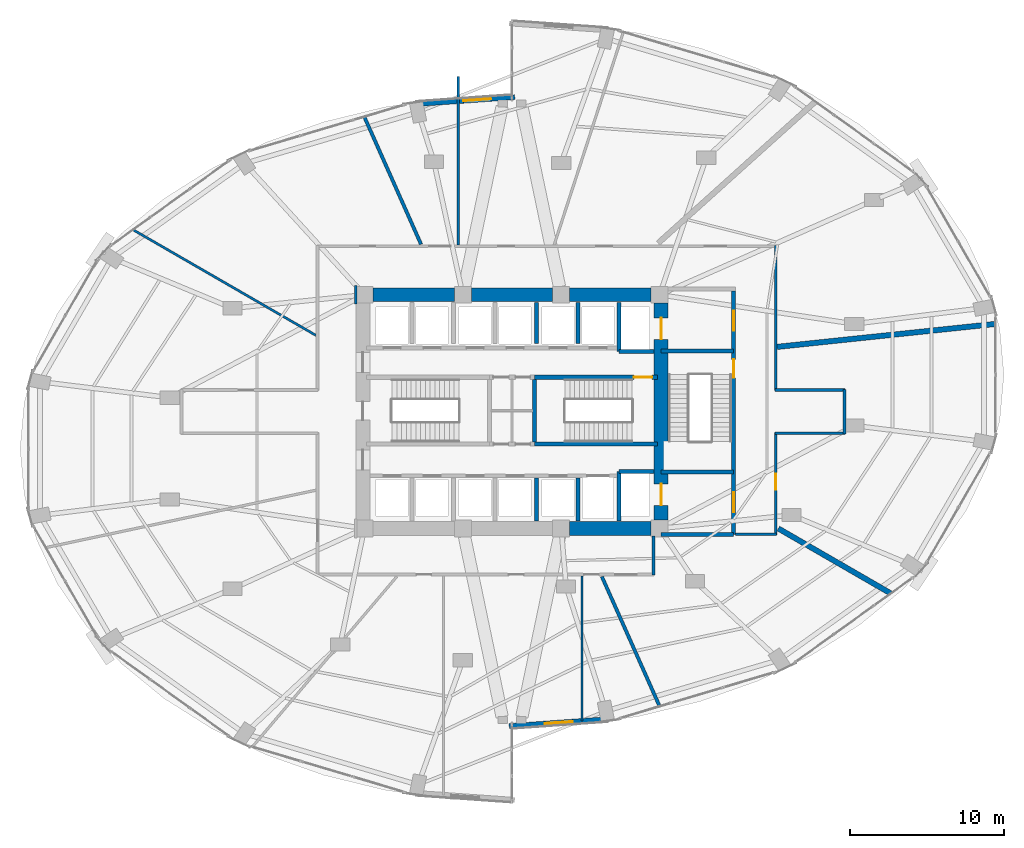
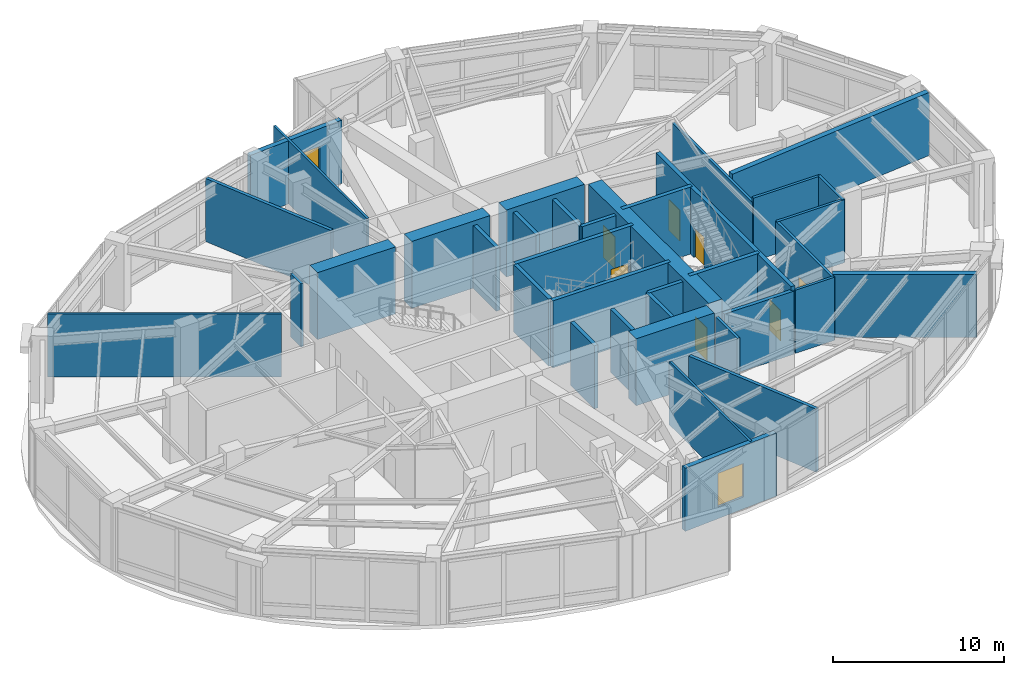
# One storey, part 22 of 24: 37 walls, 7 doors, 2 windows, 9 openings.
"""IFC4 building model written with IfcOpenShell, lengths in metres."""

from ifc_helpers import new_model, si_unit, direction, frame, frame_2d, origin, place, context, subcontext, project, spatial, rectangle, extrude, material, layer, layer_set, type_object, element, fill, save


model = new_model("IFC4")

# Units and contexts
model_context = context("Model", 3, precision=1e-05, world=origin(), true_north=direction((0.0, 1.0)))
body_context = subcontext(model_context, "Body", "Model", "MODEL_VIEW")
ifc_project = project(units=[si_unit("LENGTHUNIT", "METRE"), si_unit("AREAUNIT", "SQUARE_METRE"), si_unit("VOLUMEUNIT", "CUBIC_METRE"), si_unit("PLANEANGLEUNIT", "RADIAN"), si_unit("MASSUNIT", "GRAM", prefix="KILO")], contexts=[model_context])

# Site, building, storey
site_placement = place(None, origin())
site = spatial("IfcSite", under=ifc_project, at=site_placement, CompositionType="ELEMENT")
building_placement = place(site_placement, origin())
building = spatial("IfcBuilding", under=site, at=building_placement, Name="Lazwardi Medical Tower", CompositionType="ELEMENT")
storey_placement = place(building_placement, frame((0.0, 0.0, 10.800048828125)))
storey = spatial("IfcBuildingStorey", under=building, at=storey_placement, Name="L02", CompositionType="ELEMENT", Elevation=10.800048828125)

# Walls
ifc_material_1 = material(Name="Fire-rated gypsum board on steel stud", Category="steel")
ifc_layer_1 = layer(ifc_material_1, 0.179931640625)
ifc_layer_set_1 = layer_set([ifc_layer_1], Name="Fire-rated gypsum board on steel stud")
wall_type_1 = type_object("IfcWallType", Name="WL-COR-180", PredefinedType="PARTITIONING", material=ifc_layer_set_1)
wall_1_placement = place(storey_placement, frame((53.14990234375, 38.7900390625, 0.0), z_axis=(0.0, 0.0, 1.0), x_axis=(0.0, -1.0, 0.0)))
element("IfcWall", 1, at=wall_1_placement, inside=storey, type_object=wall_type_1, Name="L02 Corridor partition 5", PredefinedType="PARTITIONING", context=body_context, shape_type="SweptSolid", body=[
    extrude(rectangle(XDim=9.429931640625, YDim=0.179931640625, at=frame_2d((4.71484375, 0.0))), origin(), (0.0, 0.0, 1.0), 4.204833984375),
])
wall_2_placement = place(storey_placement, frame((53.110107421875, 29.39990234375, 0.0), z_axis=(0.0, 0.0, 1.0), x_axis=(1.0, 0.0, 0.0)))
element("IfcWall", 2, at=wall_2_placement, inside=storey, type_object=wall_type_1, Name="L02 Corridor partition 6", PredefinedType="PARTITIONING", context=body_context, shape_type="SweptSolid", body=[
    extrude(rectangle(XDim=4.5478515625, YDim=0.179931640625, at=frame_2d((2.27392578125, 0.0))), origin(), (0.0, 0.0, 1.0), 4.52001953125),
])
wall_3_placement = place(storey_placement, frame((57.617919921875, 29.43994140625, 0.0), z_axis=(0.0, 0.0, 1.0), x_axis=(0.0, -1.0, 0.0)))
element("IfcWall", 3, at=wall_3_placement, inside=storey, type_object=wall_type_1, Name="L02 Corridor partition 7", PredefinedType="PARTITIONING", context=body_context, shape_type="SweptSolid", body=[
    extrude(rectangle(XDim=2.8798828125, YDim=0.179931640625, at=frame_2d((1.43994140625, 0.0))), origin(), (0.0, 0.0, 1.0), 4.52001953125),
])
wall_4_placement = place(storey_placement, frame((57.657958984375, 26.60009765625, 0.0), z_axis=(0.0, 0.0, 1.0), x_axis=(-1.0, 0.0, 0.0)))
element("IfcWall", 4, at=wall_4_placement, inside=storey, type_object=wall_type_1, Name="L02 Corridor partition 8", PredefinedType="PARTITIONING", context=body_context, shape_type="SweptSolid", body=[
    extrude(rectangle(XDim=4.5478515625, YDim=0.179931640625, at=frame_2d((2.27392578125, 0.0))), origin(), (0.0, 0.0, 1.0), 4.52001953125),
])

# Wall, opening, door
wall_5_placement = place(storey_placement, frame((53.14990234375, 26.639892578125, 0.0), z_axis=(0.0, 0.0, 1.0), x_axis=(0.0, -1.0, 0.0)))
wall_5 = element("IfcWall", 5, at=wall_5_placement, inside=storey, type_object=wall_type_1, Name="L02 Corridor partition 9", PredefinedType="PARTITIONING", context=body_context, shape_type="SweptSolid", body=[
    extrude(rectangle(XDim=6.659912109375, YDim=0.179931640625, at=frame_2d((3.330078125, 0.0))), origin(), (0.0, 0.0, 1.0), 4.52001953125),
])
opening_1_placement = place(wall_5_placement, frame((2.670654296875, 0.0, 0.0)))
opening_1 = element("IfcOpeningElement", 6, at=opening_1_placement, cuts=wall_5, Name="Opening D-L02-014", PredefinedType="OPENING", context=body_context, shape_type="SweptSolid", body=[
    extrude(rectangle(XDim=1.050048828125, YDim=2.14990234375, at=frame_2d((0.52490234375, 1.074951171875))), frame((0.0, 0.099853515625, 0.0), z_axis=(0.0, -1.0, 0.0), x_axis=(1.0, 0.0, 0.0)), (0.0, 0.0, 1.0), 0.199951171875),
])
ifc_material_2 = material(Name="Anti-microbial laminate hospital leaf")
door_type_1 = type_object("IfcDoorType", Name="DR-CLN-1050", OperationType="NOTDEFINED", PredefinedType="DOOR", material=ifc_material_2)
door_1_placement = place(opening_1_placement, origin())
door_1 = element("IfcDoor", 7, at=door_1_placement, inside=storey, type_object=door_type_1, Name="L02 Family Waiting Lounge Door 06", OperationType="SINGLE_SWING_RIGHT", OverallHeight=2.14990234375, OverallWidth=1.050048828125, PredefinedType="DOOR", context=body_context, shape_type="SweptSolid", body=[
    extrude(rectangle(XDim=1.050048828125, YDim=2.14990234375, at=frame_2d((0.52490234375, 1.074951171875))), frame((0.0, 0.02490234375, 0.0), z_axis=(0.0, -1.0, 0.0), x_axis=(1.0, 0.0, 0.0)), (0.0, 0.0, 1.0), 0.050048828125),
])
fill(opening_1, door_1)

# Walls
wall_6_placement = place(storey_placement, frame((53.18994140625, 20.02001953125, 0.0), z_axis=(0.0, 0.0, 1.0), x_axis=(-1.0, 0.0, 0.0)))
element("IfcWall", 8, at=wall_6_placement, inside=storey, type_object=wall_type_1, Name="L02 Corridor partition 10", PredefinedType="PARTITIONING", context=body_context, shape_type="SweptSolid", body=[
    extrude(rectangle(XDim=2.64990234375, YDim=0.179931640625, at=frame_2d((1.324951171875, 0.0))), origin(), (0.0, 0.0, 1.0), 4.52001953125),
])
wall_7_placement = place(storey_placement, frame((25.830078125, 36.2099609375, 0.0), z_axis=(0.0, 0.0, 1.0), x_axis=(0.0, -1.0, 0.0)))
element("IfcWall", 9, at=wall_7_placement, inside=storey, type_object=wall_type_1, Name="L02 Corridor partition 11", PredefinedType="PARTITIONING", context=body_context, shape_type="SweptSolid", body=[
    extrude(rectangle(XDim=1.219970703125, YDim=0.179931640625, at=frame_2d((0.60986328125, 0.0))), origin(), (0.0, 0.0, 1.0), 4.52001953125),
])
wall_8_placement = place(storey_placement, frame((45.199951171875, 19.909912109375, 0.0), z_axis=(0.0, 0.0, 1.0), x_axis=(0.0, -1.0, 0.0)))
element("IfcWall", 10, at=wall_8_placement, inside=storey, type_object=wall_type_1, Name="L02 Corridor partition 13", PredefinedType="PARTITIONING", context=body_context, shape_type="SweptSolid", body=[
    extrude(rectangle(XDim=2.5498046875, YDim=0.179931640625, at=frame_2d((1.27490234375, 0.0))), origin(), (0.0, 0.0, 1.0), 4.52001953125),
])

# Wall, openings, doors
ifc_material_3 = material(Name="Concrete C80/95", Category="concrete")
ifc_layer_2 = layer(ifc_material_3, 0.89990234375)
ifc_layer_set_2 = layer_set([ifc_layer_2], Name="Concrete C80/95")
wall_type_2 = type_object("IfcWallType", Name="WL-CORE-900", PredefinedType="SHEAR", material=ifc_layer_set_2)
wall_9_placement = place(storey_placement, frame((45.699951171875, 20.949951171875, 0.0), z_axis=(0.0, 0.0, 1.0), x_axis=(0.0, 1.0, 0.0)))
wall_9 = element("IfcWall", 11, at=wall_9_placement, inside=storey, type_object=wall_type_2, Name="Core wall CW-S1 east L02", PredefinedType="SHEAR", context=body_context, shape_type="SweptSolid", body=[
    extrude(rectangle(XDim=14.10009765625, YDim=0.89990234375, at=frame_2d((7.050048828125, 0.0))), origin(), (0.0, 0.0, 1.0), 4.800048828125),
])
opening_2_placement = place(wall_9_placement, frame((11.75, 0.0, 0.0)))
opening_2 = element("IfcOpeningElement", 12, at=opening_2_placement, cuts=wall_9, Name="Opening LD-L02-001", PredefinedType="OPENING", context=body_context, shape_type="SweptSolid", body=[
    extrude(rectangle(XDim=1.39990234375, YDim=2.300048828125, at=frame_2d((0.699951171875, 1.14990234375))), frame((0.0, 0.4599609375, 0.0), z_axis=(0.0, -1.0, 0.0), x_axis=(1.0, 0.0, 0.0)), (0.0, 0.0, 1.0), 0.919921875),
])
opening_3_placement = place(wall_9_placement, frame((0.949951171875, 0.0, 0.0)))
opening_3 = element("IfcOpeningElement", 13, at=opening_3_placement, cuts=wall_9, Name="Opening LD-L02-002", PredefinedType="OPENING", context=body_context, shape_type="SweptSolid", body=[
    extrude(rectangle(XDim=1.39990234375, YDim=2.300048828125, at=frame_2d((0.699951171875, 1.14990234375))), frame((0.0, 0.4599609375, 0.0), z_axis=(0.0, -1.0, 0.0), x_axis=(1.0, 0.0, 0.0)), (0.0, 0.0, 1.0), 0.919921875),
])
ifc_material_4 = material(Name="Brushed stainless steel bed-lift landing door", Category="steel")
door_type_2 = type_object("IfcDoorType", Name="DR-LFT-1400", OperationType="NOTDEFINED", PredefinedType="DOOR", material=ifc_material_4)
door_2_placement = place(opening_2_placement, origin())
door_2 = element("IfcDoor", 14, at=door_2_placement, inside=storey, type_object=door_type_2, Name="L02 Lift Landing Door FL-01", OperationType="SLIDING_TO_LEFT", OverallHeight=2.300048828125, OverallWidth=1.39990234375, PredefinedType="DOOR", context=body_context, shape_type="SweptSolid", body=[
    extrude(rectangle(XDim=1.39990234375, YDim=2.300048828125, at=frame_2d((0.699951171875, 1.14990234375))), frame((0.0, 0.02490234375, 0.0), z_axis=(0.0, -1.0, 0.0), x_axis=(1.0, 0.0, 0.0)), (0.0, 0.0, 1.0), 0.050048828125),
])
fill(opening_2, door_2)
door_3_placement = place(opening_3_placement, origin())
door_3 = element("IfcDoor", 15, at=door_3_placement, inside=storey, type_object=door_type_2, Name="L02 Lift Landing Door FL-02", OperationType="SLIDING_TO_LEFT", OverallHeight=2.300048828125, OverallWidth=1.39990234375, PredefinedType="DOOR", context=body_context, shape_type="SweptSolid", body=[
    extrude(rectangle(XDim=1.39990234375, YDim=2.300048828125, at=frame_2d((0.699951171875, 1.14990234375))), frame((0.0, 0.02490234375, 0.0), z_axis=(0.0, -1.0, 0.0), x_axis=(1.0, 0.0, 0.0)), (0.0, 0.0, 1.0), 0.050048828125),
])
fill(opening_3, door_3)

# Walls
wall_10_placement = place(storey_placement, frame((26.949951171875, 35.60009765625, 0.0), z_axis=(0.0, 0.0, 1.0), x_axis=(1.0, 0.0, 0.0)))
element("IfcWall", 16, at=wall_10_placement, inside=storey, type_object=wall_type_2, Name="Core wall CW-S1 N1 L02", PredefinedType="SHEAR", context=body_context, shape_type="SweptSolid", body=[
    extrude(rectangle(XDim=5.300048828125, YDim=0.89990234375, at=frame_2d((2.64990234375, 0.0))), origin(), (0.0, 0.0, 1.0), 4.800048828125),
])
wall_11_placement = place(storey_placement, frame((33.35009765625, 35.60009765625, 0.0), z_axis=(0.0, 0.0, 1.0), x_axis=(1.0, 0.0, 0.0)))
element("IfcWall", 17, at=wall_11_placement, inside=storey, type_object=wall_type_2, Name="Core wall CW-S1 N2 L02", PredefinedType="SHEAR", context=body_context, shape_type="SweptSolid", body=[
    extrude(rectangle(XDim=5.2998046875, YDim=0.89990234375, at=frame_2d((2.64990234375, 0.0))), origin(), (0.0, 0.0, 1.0), 4.800048828125),
])
for number, where, z_axis, x_axis, name in (
    (18, (39.75, 20.39990234375, 0.0), (0.0, 0.0, 1.0), (1.0, 0.0, 0.0), "Core wall CW-S1 S3 L02"),
    (19, (39.75, 35.60009765625, 0.0), (0.0, 0.0, 1.0), (1.0, 0.0, 0.0), "Core wall CW-S1 N3 L02"),
):
    element("IfcWall", number, at=place(storey_placement, frame(where, z_axis=z_axis, x_axis=x_axis)), inside=storey, type_object=wall_type_2, Name=name, PredefinedType="SHEAR", context=body_context, shape_type="SweptSolid", body=[
        extrude(rectangle(XDim=5.300048828125, YDim=0.89990234375, at=frame_2d((2.64990234375, 0.0))), origin(), (0.0, 0.0, 1.0), 4.800048828125),
    ])

# Wall, opening, window
ifc_material_5 = material(Name="Precast concrete C45/55", Category="concrete")
ifc_layer_3 = layer(ifc_material_5, 0.320068359375)
ifc_layer_set_3 = layer_set([ifc_layer_3], Name="Precast concrete C45/55")
wall_type_3 = type_object("IfcWallType", Name="WL-IWAN-320", PredefinedType="SOLIDWALL", material=ifc_layer_set_3)
wall_12_placement = place(storey_placement, frame((35.8203125, 7.54736328125, 0.0), z_axis=(0.0, 0.0, 1.0), x_axis=(0.99751367159, 0.070473221795, 0.0)))
wall_12 = element("IfcWall", 20, at=wall_12_placement, inside=storey, type_object=wall_type_3, Name="L02 Iwan Portal Return Wall SE_ret", PredefinedType="SOLIDWALL", context=body_context, shape_type="SweptSolid", body=[
    extrude(rectangle(XDim=6.45751953125, YDim=0.320068359375, at=frame_2d((3.228759765625, 0.0))), origin(), (0.0, 0.0, 1.0), 4.52001953125),
])
opening_4_placement = place(wall_12_placement, frame((2.32861328125, 0.0, 0.85009765625)))
opening_4 = element("IfcOpeningElement", 21, at=opening_4_placement, cuts=wall_12, Name="Opening WN-03", PredefinedType="OPENING", context=body_context, shape_type="SweptSolid", body=[
    extrude(rectangle(XDim=1.800048828125, YDim=2.39990234375, at=frame_2d((0.89990234375, 1.199951171875))), frame((0.0, 0.169921875, 0.0), z_axis=(0.0, -1.0, 0.0), x_axis=(1.0, 0.0, 0.0)), (0.0, 0.0, 1.0), 0.340087890625),
])
ifc_material_6 = material(Name="Laminated acoustic bronze double glazing", Category="glass")
window_type = type_object("IfcWindowType", Name="WIN-POD-1800", PartitioningType="SINGLE_PANEL", PredefinedType="WINDOW", material=ifc_material_6)
window_1_placement = place(opening_4_placement, origin())
window_1 = element("IfcWindow", 22, at=window_1_placement, inside=storey, type_object=window_type, Name="L02 Iwan Slot Window SE_ret", OverallHeight=2.39990234375, OverallWidth=1.800048828125, PartitioningType="SINGLE_PANEL", PredefinedType="WINDOW", context=body_context, shape_type="SweptSolid", body=[
    extrude(rectangle(XDim=1.800048828125, YDim=2.39990234375, at=frame_2d((0.89990234375, 1.199951171875))), frame((0.0, 0.030029296875, 0.0), z_axis=(0.0, -1.0, 0.0), x_axis=(1.0, 0.0, 0.0)), (0.0, 0.0, 1.0), 0.06005859375),
])
fill(opening_4, window_1)

wall_13_placement = place(storey_placement, frame((36.178955078125, 48.45263671875, 0.0), z_axis=(0.0, 0.0, 1.0), x_axis=(-0.997513108184, -0.070481196075, 0.0)))
wall_13 = element("IfcWall", 23, at=wall_13_placement, inside=storey, type_object=wall_type_3, Name="L02 Iwan Portal Return Wall NW_ret", PredefinedType="SOLIDWALL", context=body_context, shape_type="SweptSolid", body=[
    extrude(rectangle(XDim=6.456787109375, YDim=0.320068359375, at=frame_2d((3.228515625, 0.0))), origin(), (0.0, 0.0, 1.0), 4.52001953125),
])
opening_5_placement = place(wall_13_placement, frame((1.547607421875, 0.0, 0.85009765625)))
opening_5 = element("IfcOpeningElement", 24, at=opening_5_placement, cuts=wall_13, Name="Opening WN-03", PredefinedType="OPENING", context=body_context, shape_type="SweptSolid", body=[
    extrude(rectangle(XDim=1.800048828125, YDim=2.39990234375, at=frame_2d((0.89990234375, 1.199951171875))), frame((0.0, 0.169921875, 0.0), z_axis=(0.0, -1.0, 0.0), x_axis=(1.0, 0.0, 0.0)), (0.0, 0.0, 1.0), 0.340087890625),
])
window_2_placement = place(opening_5_placement, origin())
window_2 = element("IfcWindow", 25, at=window_2_placement, inside=storey, type_object=window_type, Name="L02 Iwan Slot Window NW_ret", OverallHeight=2.39990234375, OverallWidth=1.800048828125, PartitioningType="SINGLE_PANEL", PredefinedType="WINDOW", context=body_context, shape_type="SweptSolid", body=[
    extrude(rectangle(XDim=1.800048828125, YDim=2.39990234375, at=frame_2d((0.89990234375, 1.199951171875))), frame((0.0, 0.030029296875, 0.0), z_axis=(0.0, -1.0, 0.0), x_axis=(1.0, 0.0, 0.0)), (0.0, 0.0, 1.0), 0.06005859375),
])
fill(opening_5, window_2)

# Walls
ifc_material_7 = material(Name="Lead-lined barium plaster blockwork", Category="masonry")
ifc_layer_4 = layer(ifc_material_7, 0.35009765625)
ifc_layer_set_4 = layer_set([ifc_layer_4], Name="Lead-lined barium plaster blockwork")
wall_type_4 = type_object("IfcWallType", Name="WL-RAD-350", PredefinedType="SOLIDWALL", material=ifc_layer_set_4)
wall_14_placement = place(storey_placement, frame((53.322021484375, 20.399169921875, 0.0), z_axis=(0.0, 0.0, 1.0), x_axis=(0.866024398109, -0.500001741877, 0.0)))
element("IfcWall", 26, at=wall_14_placement, inside=storey, type_object=wall_type_4, Name="L02 Room partition 2", PredefinedType="SOLIDWALL", context=body_context, shape_type="SweptSolid", body=[
    extrude(rectangle(XDim=8.44970703125, YDim=0.35009765625, at=frame_2d((4.224853515625, 0.0))), origin(), (0.0, 0.0, 1.0), 4.52001953125),
])
wall_15_placement = place(storey_placement, frame((53.23974609375, 32.2119140625, 0.0), z_axis=(0.0, 0.0, 1.0), x_axis=(0.994522307274, 0.104524544177, 0.0)))
element("IfcWall", 27, at=wall_15_placement, inside=storey, type_object=wall_type_4, Name="L02 Room partition 3", PredefinedType="SOLIDWALL", context=body_context, shape_type="SweptSolid", body=[
    extrude(rectangle(XDim=14.27587890625, YDim=0.35009765625, at=frame_2d((7.137939453125, 0.0))), origin(), (0.0, 0.0, 1.0), 4.52001953125),
])
ifc_material_8 = material(Name="Autoclaved aerated concrete blockwork", Category="masonry")
ifc_layer_5 = layer(ifc_material_8, 0.25)
ifc_layer_set_5 = layer_set([ifc_layer_5], Name="Autoclaved aerated concrete blockwork")
wall_type_5 = type_object("IfcWallType", Name="WL-SHAFT-250", PredefinedType="SOLIDWALL", material=ifc_layer_set_5)
wall_16_placement = place(storey_placement, frame((42.949951171875, 31.919921875, 0.0), z_axis=(0.0, 0.0, 1.0), x_axis=(0.0, 1.0, 0.0)))
element("IfcWall", 28, at=wall_16_placement, inside=storey, type_object=wall_type_5, Name="L02 FL-01 West shaft wall", PredefinedType="SOLIDWALL", context=body_context, shape_type="SweptSolid", body=[
    extrude(rectangle(XDim=3.18017578125, YDim=0.25, at=frame_2d((1.590087890625, 0.0))), origin(), (0.0, 0.0, 1.0), 4.52001953125),
])
wall_17_placement = place(storey_placement, frame((42.949951171875, 31.919921875, 0.0), z_axis=(0.0, 0.0, 1.0), x_axis=(1.0, 0.0, 0.0)))
element("IfcWall", 29, at=wall_17_placement, inside=storey, type_object=wall_type_5, Name="L02 FL-01 South shaft wall", PredefinedType="SOLIDWALL", context=body_context, shape_type="SweptSolid", body=[
    extrude(rectangle(XDim=2.300048828125, YDim=0.25, at=frame_2d((1.14990234375, 0.0))), origin(), (0.0, 0.0, 1.0), 4.52001953125),
])
wall_18_placement = place(storey_placement, frame((42.949951171875, 20.89990234375, 0.0), z_axis=(0.0, 0.0, 1.0), x_axis=(0.0, 1.0, 0.0)))
element("IfcWall", 30, at=wall_18_placement, inside=storey, type_object=wall_type_5, Name="L02 FL-02 West shaft wall", PredefinedType="SOLIDWALL", context=body_context, shape_type="SweptSolid", body=[
    extrude(rectangle(XDim=3.2001953125, YDim=0.25, at=frame_2d((1.60009765625, 0.0))), origin(), (0.0, 0.0, 1.0), 4.52001953125),
])
wall_19_placement = place(storey_placement, frame((42.949951171875, 24.10009765625, 0.0), z_axis=(0.0, 0.0, 1.0), x_axis=(1.0, 0.0, 0.0)))
element("IfcWall", 31, at=wall_19_placement, inside=storey, type_object=wall_type_5, Name="L02 FL-02 North shaft wall", PredefinedType="SOLIDWALL", context=body_context, shape_type="SweptSolid", body=[
    extrude(rectangle(XDim=2.300048828125, YDim=0.25, at=frame_2d((1.14990234375, 0.0))), origin(), (0.0, 0.0, 1.0), 4.52001953125),
])
wall_20_placement = place(storey_placement, frame((37.60009765625, 32.419921875, 0.0), z_axis=(0.0, 0.0, 1.0), x_axis=(0.0, 1.0, 0.0)))
element("IfcWall", 32, at=wall_20_placement, inside=storey, type_object=wall_type_5, Name="L02 North hoistway divider", PredefinedType="SOLIDWALL", context=body_context, shape_type="SweptSolid", body=[
    extrude(rectangle(XDim=2.68017578125, YDim=0.25, at=frame_2d((1.340087890625, 0.0))), origin(), (0.0, 0.0, 1.0), 4.52001953125),
])
wall_21_placement = place(storey_placement, frame((37.60009765625, 20.89990234375, 0.0), z_axis=(0.0, 0.0, 1.0), x_axis=(0.0, 1.0, 0.0)))
element("IfcWall", 33, at=wall_21_placement, inside=storey, type_object=wall_type_5, Name="L02 South hoistway divider", PredefinedType="SOLIDWALL", context=body_context, shape_type="SweptSolid", body=[
    extrude(rectangle(XDim=2.800048828125, YDim=0.25, at=frame_2d((1.39990234375, 0.0))), origin(), (0.0, 0.0, 1.0), 4.52001953125),
])
wall_22_placement = place(storey_placement, frame((40.300048828125, 32.419921875, 0.0), z_axis=(0.0, 0.0, 1.0), x_axis=(0.0, 1.0, 0.0)))
element("IfcWall", 34, at=wall_22_placement, inside=storey, type_object=wall_type_5, Name="L02 North hoistway divider", PredefinedType="SOLIDWALL", context=body_context, shape_type="SweptSolid", body=[
    extrude(rectangle(XDim=2.68017578125, YDim=0.25, at=frame_2d((1.340087890625, 0.0))), origin(), (0.0, 0.0, 1.0), 4.52001953125),
])
wall_23_placement = place(storey_placement, frame((40.300048828125, 20.89990234375, 0.0), z_axis=(0.0, 0.0, 1.0), x_axis=(0.0, 1.0, 0.0)))
element("IfcWall", 35, at=wall_23_placement, inside=storey, type_object=wall_type_5, Name="L02 South hoistway divider", PredefinedType="SOLIDWALL", context=body_context, shape_type="SweptSolid", body=[
    extrude(rectangle(XDim=2.800048828125, YDim=0.25, at=frame_2d((1.39990234375, 0.0))), origin(), (0.0, 0.0, 1.0), 4.52001953125),
])
wall_24_placement = place(storey_placement, frame((45.699951171875, 20.02001953125, 0.0), z_axis=(0.0, 0.0, 1.0), x_axis=(1.0, 0.0, 0.0)))
element("IfcWall", 36, at=wall_24_placement, inside=storey, type_object=wall_type_5, Name="L02 FFL-S South wall", PredefinedType="SOLIDWALL", context=body_context, shape_type="SweptSolid", body=[
    extrude(rectangle(XDim=4.715087890625, YDim=0.25, at=frame_2d((2.357421875, 0.0))), origin(), (0.0, 0.0, 1.0), 4.52001953125),
])
ifc_layer_6 = layer(ifc_material_1, 0.219970703125)
ifc_layer_set_6 = layer_set([ifc_layer_6], Name="Fire-rated gypsum board on steel stud")
wall_type_6 = type_object("IfcWallType", Name="WL-SMK-220", PredefinedType="PARTITIONING", material=ifc_layer_set_6)
wall_25_placement = place(storey_placement, frame((41.846923828125, 17.267333984375, 0.0), z_axis=(0.0, 0.0, 1.0), x_axis=(0.406746917765, -0.913540882987, 0.0)))
element("IfcWall", 37, at=wall_25_placement, inside=storey, type_object=wall_type_6, Name="L02 Room partition 1", PredefinedType="PARTITIONING", context=body_context, shape_type="SweptSolid", body=[
    extrude(rectangle(XDim=9.2314453125, YDim=0.219970703125, at=frame_2d((4.61572265625, 0.0))), origin(), (0.0, 0.0, 1.0), 4.52001953125),
])
wall_26_placement = place(storey_placement, frame((30.086181640625, 38.8828125, 0.0), z_axis=(0.0, 0.0, 1.0), x_axis=(-0.406742961245, 0.913542644586, 0.0)))
element("IfcWall", 38, at=wall_26_placement, inside=storey, type_object=wall_type_6, Name="L02 Room partition 6", PredefinedType="PARTITIONING", context=body_context, shape_type="SweptSolid", body=[
    extrude(rectangle(XDim=9.067138671875, YDim=0.219970703125, at=frame_2d((4.53369140625, 0.0))), origin(), (0.0, 0.0, 1.0), 4.52001953125),
])

# Wall, opening, door
ifc_material_9 = material(Name="Concrete C50/60", Category="concrete")
ifc_layer_7 = layer(ifc_material_9, 0.27001953125)
ifc_layer_set_7 = layer_set([ifc_layer_7], Name="Concrete C50/60")
wall_type_7 = type_object("IfcWallType", Name="WL-STR-250", PredefinedType="SHEAR", material=ifc_layer_set_7)
wall_27_placement = place(storey_placement, frame((37.465087890625, 30.235107421875, 0.0), z_axis=(0.0, 0.0, 1.0), x_axis=(1.0, 0.0, 0.0)))
wall_27 = element("IfcWall", 39, at=wall_27_placement, inside=storey, type_object=wall_type_7, Name="L02 ST2 North shear shaft wall SW-S1", PredefinedType="SHEAR", context=body_context, shape_type="SweptSolid", body=[
    extrude(rectangle(XDim=7.98486328125, YDim=0.27001953125, at=frame_2d((3.992431640625, 0.0))), origin(), (0.0, 0.0, 1.0), 4.800048828125),
])
opening_6_placement = place(wall_27_placement, frame((6.455078125, 0.0, 0.0)))
opening_6 = element("IfcOpeningElement", 40, at=opening_6_placement, cuts=wall_27, Name="Opening D-L02-022", PredefinedType="OPENING", context=body_context, shape_type="SweptSolid", body=[
    extrude(rectangle(XDim=1.199951171875, YDim=2.14990234375, at=frame_2d((0.60009765625, 1.074951171875))), frame((0.0, 0.14501953125, 0.0), z_axis=(0.0, -1.0, 0.0), x_axis=(1.0, 0.0, 0.0)), (0.0, 0.0, 1.0), 0.2900390625),
])
ifc_material_10 = material(Name="Fire-rated steel leaf and frame", Category="steel")
door_type_3 = type_object("IfcDoorType", Name="DR-STR-1200", OperationType="NOTDEFINED", PredefinedType="DOOR", material=ifc_material_10)
door_4_placement = place(opening_6_placement, origin())
door_4 = element("IfcDoor", 41, at=door_4_placement, inside=storey, type_object=door_type_3, Name="L02 Exit Stair ST2 Door", OperationType="SINGLE_SWING_LEFT", OverallHeight=2.14990234375, OverallWidth=1.199951171875, PredefinedType="DOOR", context=body_context, shape_type="SweptSolid", body=[
    extrude(rectangle(XDim=1.199951171875, YDim=2.14990234375, at=frame_2d((0.60009765625, 1.074951171875))), frame((0.0, 0.02490234375, 0.0), z_axis=(0.0, -1.0, 0.0), x_axis=(1.0, 0.0, 0.0)), (0.0, 0.0, 1.0), 0.050048828125),
])
fill(opening_6, door_4)

# Walls
wall_28_placement = place(storey_placement, frame((37.465087890625, 25.885009765625, 0.0), z_axis=(0.0, 0.0, 1.0), x_axis=(1.0, 0.0, 0.0)))
element("IfcWall", 42, at=wall_28_placement, inside=storey, type_object=wall_type_7, Name="L02 ST2 South shear shaft wall SW-S1", PredefinedType="SHEAR", context=body_context, shape_type="SweptSolid", body=[
    extrude(rectangle(XDim=7.98486328125, YDim=0.27001953125, at=frame_2d((3.992431640625, 0.0))), origin(), (0.0, 0.0, 1.0), 4.800048828125),
])
wall_29_placement = place(storey_placement, frame((37.465087890625, 26.02001953125, 0.0), z_axis=(0.0, 0.0, 1.0), x_axis=(0.0, 1.0, 0.0)))
element("IfcWall", 43, at=wall_29_placement, inside=storey, type_object=wall_type_7, Name="L02 ST2 West shear shaft wall SW-S1", PredefinedType="SHEAR", context=body_context, shape_type="SweptSolid", body=[
    extrude(rectangle(XDim=4.080078125, YDim=0.27001953125, at=frame_2d((2.0400390625, 0.0))), origin(), (0.0, 0.0, 1.0), 4.800048828125),
])

# Wall, openings, doors
wall_30_placement = place(storey_placement, frame((50.4150390625, 35.844970703125, 0.0), z_axis=(0.0, 0.0, 1.0), x_axis=(0.0, -1.0, 0.0)))
wall_30 = element("IfcWall", 44, at=wall_30_placement, inside=storey, type_object=wall_type_7, Name="L02 East ST3 & FFL shear wall SW-S1", PredefinedType="SHEAR", context=body_context, shape_type="SweptSolid", body=[
    extrude(rectangle(XDim=15.824951171875, YDim=0.27001953125, at=frame_2d((7.91259765625, 0.0))), origin(), (0.0, 0.0, 1.0), 4.800048828125),
])
opening_7_placement = place(wall_30_placement, frame((4.445068359375, 0.0, 0.0)))
opening_7 = element("IfcOpeningElement", 45, at=opening_7_placement, cuts=wall_30, Name="Opening D-L02-023", PredefinedType="OPENING", context=body_context, shape_type="SweptSolid", body=[
    extrude(rectangle(XDim=1.199951171875, YDim=2.14990234375, at=frame_2d((0.60009765625, 1.074951171875))), frame((0.0, 0.14501953125, 0.0), z_axis=(0.0, -1.0, 0.0), x_axis=(1.0, 0.0, 0.0)), (0.0, 0.0, 1.0), 0.2900390625),
])
opening_8_placement = place(wall_30_placement, frame((1.294921875, 0.0, 0.0)))
opening_8 = element("IfcOpeningElement", 46, at=opening_8_placement, cuts=wall_30, Name="Opening D-L02-005", PredefinedType="OPENING", context=body_context, shape_type="SweptSolid", body=[
    extrude(rectangle(XDim=1.300048828125, YDim=2.199951171875, at=frame_2d((0.64990234375, 1.10009765625))), frame((0.0, 0.14501953125, 0.0), z_axis=(0.0, -1.0, 0.0), x_axis=(1.0, 0.0, 0.0)), (0.0, 0.0, 1.0), 0.2900390625),
])
opening_9_placement = place(wall_30_placement, frame((13.094970703125, 0.0, 0.0)))
opening_9 = element("IfcOpeningElement", 47, at=opening_9_placement, cuts=wall_30, Name="Opening D-L02-006", PredefinedType="OPENING", context=body_context, shape_type="SweptSolid", body=[
    extrude(rectangle(XDim=1.300048828125, YDim=2.199951171875, at=frame_2d((0.64990234375, 1.10009765625))), frame((0.0, 0.14501953125, 0.0), z_axis=(0.0, -1.0, 0.0), x_axis=(1.0, 0.0, 0.0)), (0.0, 0.0, 1.0), 0.2900390625),
])
door_type_4 = type_object("IfcDoorType", Name="DR-FFL-1300", OperationType="NOTDEFINED", PredefinedType="DOOR", material=ifc_material_10)
door_5_placement = place(opening_8_placement, origin())
door_5 = element("IfcDoor", 48, at=door_5_placement, inside=storey, type_object=door_type_4, Name="L02 Fire-Fighting Lobby North Door", OperationType="SINGLE_SWING_LEFT", OverallHeight=2.199951171875, OverallWidth=1.300048828125, PredefinedType="DOOR", context=body_context, shape_type="SweptSolid", body=[
    extrude(rectangle(XDim=1.300048828125, YDim=2.199951171875, at=frame_2d((0.64990234375, 1.10009765625))), frame((0.0, 0.02490234375, 0.0), z_axis=(0.0, -1.0, 0.0), x_axis=(1.0, 0.0, 0.0)), (0.0, 0.0, 1.0), 0.050048828125),
])
fill(opening_8, door_5)
door_6_placement = place(opening_9_placement, origin())
door_6 = element("IfcDoor", 49, at=door_6_placement, inside=storey, type_object=door_type_4, Name="L02 Fire-Fighting Lobby South Door", OperationType="SINGLE_SWING_RIGHT", OverallHeight=2.199951171875, OverallWidth=1.300048828125, PredefinedType="DOOR", context=body_context, shape_type="SweptSolid", body=[
    extrude(rectangle(XDim=1.300048828125, YDim=2.199951171875, at=frame_2d((0.64990234375, 1.10009765625))), frame((0.0, 0.02490234375, 0.0), z_axis=(0.0, -1.0, 0.0), x_axis=(1.0, 0.0, 0.0)), (0.0, 0.0, 1.0), 0.050048828125),
])
fill(opening_9, door_6)
door_7_placement = place(opening_7_placement, origin())
door_7 = element("IfcDoor", 50, at=door_7_placement, inside=storey, type_object=door_type_3, Name="L02 Exit Stair ST3 Door", OperationType="SINGLE_SWING_RIGHT", OverallHeight=2.14990234375, OverallWidth=1.199951171875, PredefinedType="DOOR", context=body_context, shape_type="SweptSolid", body=[
    extrude(rectangle(XDim=1.199951171875, YDim=2.14990234375, at=frame_2d((0.60009765625, 1.074951171875))), frame((0.0, 0.02490234375, 0.0), z_axis=(0.0, -1.0, 0.0), x_axis=(1.0, 0.0, 0.0)), (0.0, 0.0, 1.0), 0.050048828125),
])
fill(opening_7, door_7)

# Walls
for number, where, z_axis, x_axis, name in (
    (51, (45.699951171875, 31.93505859375, 0.0), (0.0, 0.0, 1.0), (1.0, 0.0, 0.0), "L02 ST3 North shear shaft wall SW-S1"),
    (52, (45.699951171875, 24.06494140625, 0.0), (0.0, 0.0, 1.0), (1.0, 0.0, 0.0), "L02 ST3 South shear shaft wall SW-S1"),
):
    element("IfcWall", number, at=place(storey_placement, frame(where, z_axis=z_axis, x_axis=x_axis)), inside=storey, type_object=wall_type_7, Name=name, PredefinedType="SHEAR", context=body_context, shape_type="SweptSolid", body=[
        extrude(rectangle(XDim=4.715087890625, YDim=0.27001953125, at=frame_2d((2.357421875, 0.0))), origin(), (0.0, 0.0, 1.0), 4.800048828125),
    ])
ifc_material_11 = material(Name="Acoustic gypsum board partition")
ifc_layer_8 = layer(ifc_material_11, 0.14990234375)
ifc_layer_set_8 = layer_set([ifc_layer_8], Name="Acoustic gypsum board partition")
wall_type_8 = type_object("IfcWallType", Name="WL-WRD-150", PredefinedType="PARTITIONING", material=ifc_layer_set_8)
wall_31_placement = place(storey_placement, frame((23.242919921875, 32.965087890625, 0.0), z_axis=(0.0, 0.0, 1.0), x_axis=(-0.866019355129, 0.500010476433, 0.0)))
element("IfcWall", 53, at=wall_31_placement, inside=storey, type_object=wall_type_8, Name="L02 Room partition 7", PredefinedType="PARTITIONING", context=body_context, shape_type="SweptSolid", body=[
    extrude(rectangle(XDim=13.720947265625, YDim=0.14990234375, at=frame_2d((6.8603515625, 0.0))), origin(), (0.0, 0.0, 1.0), 4.52001953125),
])
wall_32_placement = place(storey_placement, frame((32.5, 38.840087890625, 0.0), z_axis=(0.0, 0.0, 1.0), x_axis=(0.0, 1.0, 0.0)))
element("IfcWall", 54, at=wall_32_placement, inside=storey, type_object=wall_type_8, Name="L02 Room partition 11", PredefinedType="PARTITIONING", context=body_context, shape_type="SweptSolid", body=[
    extrude(rectangle(XDim=10.95947265625, YDim=0.14990234375, at=frame_2d((5.479736328125, 0.0))), origin(), (0.0, 0.0, 1.0), 4.52001953125),
])
wall_33_placement = place(storey_placement, frame((40.550048828125, 7.8662109375, 0.0), z_axis=(0.0, 0.0, 1.0), x_axis=(0.0, 1.0, 0.0)))
element("IfcWall", 55, at=wall_33_placement, inside=storey, type_object=wall_type_8, Name="L02 Room partition 12", PredefinedType="PARTITIONING", context=body_context, shape_type="SweptSolid", body=[
    extrude(rectangle(XDim=9.44384765625, YDim=0.14990234375, at=frame_2d((4.721923828125, 0.0))), origin(), (0.0, 0.0, 1.0), 4.52001953125),
])

save(model, "model.ifc")
